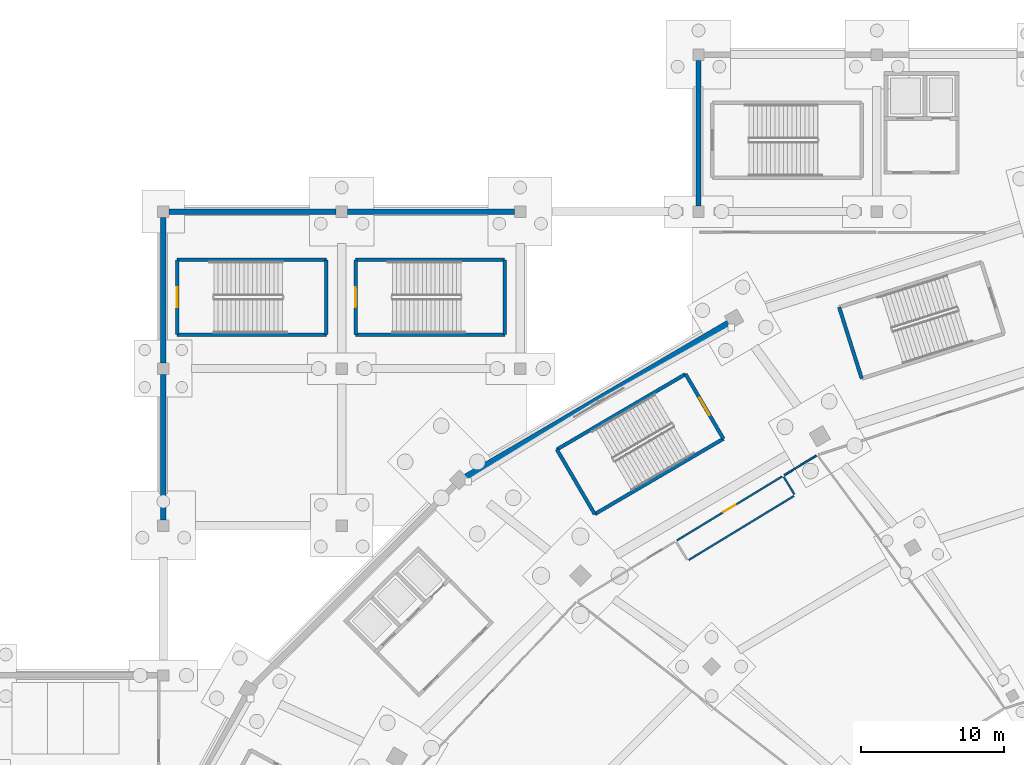
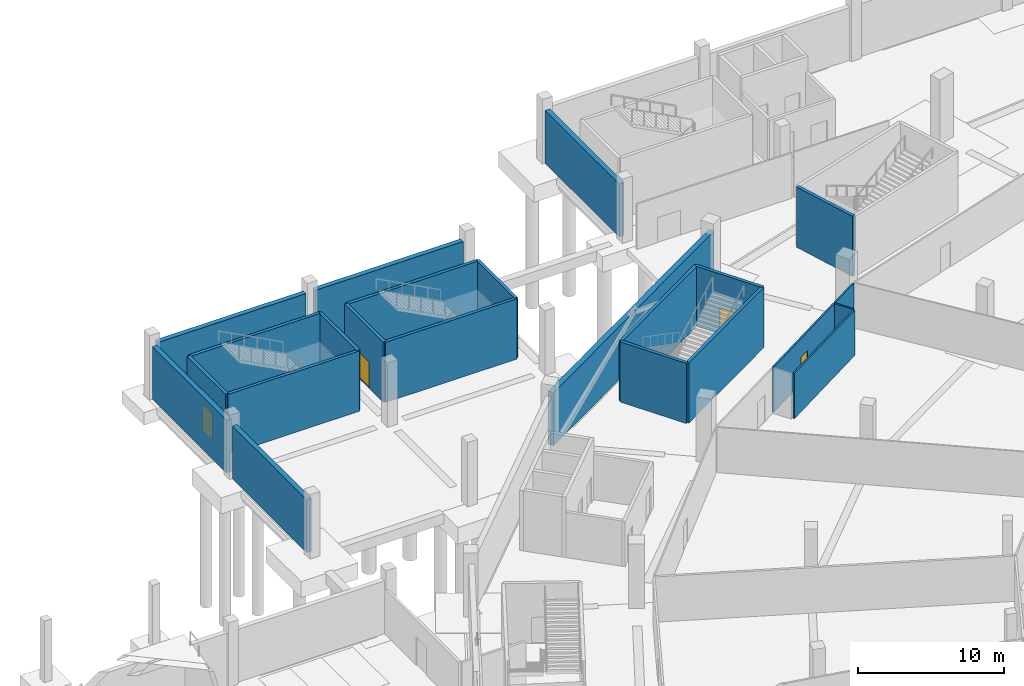
# One storey, part 45 of 74: 23 walls, 4 doors, 4 openings.
"""IFC4 building model written with IfcOpenShell, lengths in metres."""

from ifc_helpers import new_model, si_unit, direction, frame, frame_2d, origin, place, context, subcontext, project, spatial, rectangle, extrude, material, layer, layer_set, type_object, element, fill, save


model = new_model("IFC4")

# Units and contexts
model_context = context("Model", 3, precision=1e-05, world=origin(), true_north=direction((0.0, 1.0)))
body_context = subcontext(model_context, "Body", "Model", "MODEL_VIEW")
ifc_project = project(units=[si_unit("LENGTHUNIT", "METRE"), si_unit("AREAUNIT", "SQUARE_METRE"), si_unit("VOLUMEUNIT", "CUBIC_METRE"), si_unit("PLANEANGLEUNIT", "RADIAN"), si_unit("MASSUNIT", "GRAM", prefix="KILO")], contexts=[model_context])

# Site, building, storey
site_placement = place(None, origin())
site = spatial("IfcSite", under=ifc_project, at=site_placement, CompositionType="ELEMENT")
building_placement = place(site_placement, origin())
building = spatial("IfcBuilding", under=site, at=building_placement, Name="Zlatoyarsky Gate Stadium", CompositionType="ELEMENT")
storey_placement = place(building_placement, frame((0.0, 0.0, -5.39990234375)))
storey = spatial("IfcBuildingStorey", under=building, at=storey_placement, Name="B1", CompositionType="ELEMENT", Elevation=-5.39990234375)

# Walls
ifc_material_1 = material(Name="Concrete C35/45", Category="concrete")
ifc_layer_1 = layer(ifc_material_1, 0.419921875)
ifc_layer_set_1 = layer_set([ifc_layer_1], Name="Concrete C35/45")
wall_type_1 = type_object("IfcWallType", Name="CONCRETE BASEMENT RETAINING WALL 420", PredefinedType="SOLIDWALL", material=ifc_layer_set_1)
wall_1_placement = place(storey_placement, frame((64.52490234375, 141.444580078125, 0.0), z_axis=(0.0, 0.0, 1.0), x_axis=(-0.862881315776, -0.505406603523, 0.0)))
element("IfcWall", 1, at=wall_1_placement, inside=storey, type_object=wall_type_1, Name="B1 perimeter retaining wall sector 08", PredefinedType="SOLIDWALL", context=body_context, shape_type="SweptSolid", body=[
    extrude(rectangle(XDim=22.3095703125, YDim=0.419921875, at=frame_2d((11.15478515625, 0.0))), origin(), (0.0, 0.0, 1.0), 4.449951171875),
])
ifc_layer_2 = layer(ifc_material_1, 0.3798828125)
ifc_layer_set_2 = layer_set([ifc_layer_2], Name="Concrete C35/45")
wall_type_2 = type_object("IfcWallType", Name="CONCRETE RAMP RETAINING WALL 380", PredefinedType="SOLIDWALL", material=ifc_layer_set_2)
wall_2_placement = place(storey_placement, frame((62.0, 149.39697265625, 0.0), z_axis=(0.0, 0.0, 1.0), x_axis=(0.0, 1.0, 0.0)))
element("IfcWall", 2, at=wall_2_placement, inside=storey, type_object=wall_type_2, Name="V2_NORTH B1 W exterior wall", PredefinedType="SOLIDWALL", context=body_context, shape_type="SweptSolid", body=[
    extrude(rectangle(XDim=10.2060546875, YDim=0.3798828125, at=frame_2d((5.10302734375, 0.0))), origin(), (0.0, 0.0, 1.0), 4.429931640625),
])
for number, where, z_axis, x_axis, name in (
    (3, (24.89697265625, 149.0, 0.0), (0.0, 0.0, 1.0), (1.0, 0.0, 0.0), "V6_NW B1 N exterior wall"),
    (4, (37.39697265625, 149.0, 0.0), (0.0, 0.0, 1.0), (1.0, 0.0, 0.0), "V6_NW B1 N exterior wall"),
):
    element("IfcWall", number, at=place(storey_placement, frame(where, z_axis=z_axis, x_axis=x_axis)), inside=storey, type_object=wall_type_2, Name=name, PredefinedType="SOLIDWALL", context=body_context, shape_type="SweptSolid", body=[
        extrude(rectangle(XDim=11.7060546875, YDim=0.3798828125, at=frame_2d((5.85302734375, 0.0))), origin(), (0.0, 0.0, 1.0), 4.429931640625),
    ])
for number, where, z_axis, x_axis, name in (
    (5, (24.5, 127.39697265625, 0.0), (0.0, 0.0, 1.0), (0.0, 1.0, 0.0), "V6_NW B1 W exterior wall"),
    (6, (24.5, 138.39697265625, 0.0), (0.0, 0.0, 1.0), (0.0, 1.0, 0.0), "V6_NW B1 W exterior wall"),
):
    element("IfcWall", number, at=place(storey_placement, frame(where, z_axis=z_axis, x_axis=x_axis)), inside=storey, type_object=wall_type_2, Name=name, PredefinedType="SOLIDWALL", context=body_context, shape_type="SweptSolid", body=[
        extrude(rectangle(XDim=10.2060546875, YDim=0.3798828125, at=frame_2d((5.10302734375, 0.0))), origin(), (0.0, 0.0, 1.0), 4.429931640625),
    ])

# Wall, opening, door
ifc_material_2 = material(Name="Concrete C40/50", Category="concrete")
ifc_layer_3 = layer(ifc_material_2, 0.25)
ifc_layer_set_3 = layer_set([ifc_layer_3], Name="Concrete C40/50")
wall_type_3 = type_object("IfcWallType", Name="CONCRETE STAIR CORE SHEAR WALL 250", PredefinedType="SHEAR", material=ifc_layer_set_3)
wall_3_placement = place(storey_placement, frame((63.74658203125, 133.083984375, 0.0), z_axis=(0.0, 0.0, 1.0), x_axis=(-0.505460490551, 0.862849750821, 0.0)))
wall_3 = element("IfcWall", 7, at=wall_3_placement, inside=storey, type_object=wall_type_3, Name="ST-05 B1 stair core entrance shear wall", PredefinedType="SHEAR", context=body_context, shape_type="SweptSolid", body=[
    extrude(rectangle(XDim=5.249755859375, YDim=0.25, at=frame_2d((2.625, 0.0))), origin(), (0.0, 0.0, 1.0), 5.0498046875),
])
opening_1_placement = place(wall_3_placement, frame((1.925048828125, 0.0, 0.0)))
opening_1 = element("IfcOpeningElement", 8, at=opening_1_placement, cuts=wall_3, Name="Opening SD-ST-05-B1", PredefinedType="OPENING", context=body_context, shape_type="SweptSolid", body=[
    extrude(rectangle(XDim=1.39990234375, YDim=2.199951171875, at=frame_2d((0.699951171875, 1.10009765625))), frame((0.0, 0.135009765625, 0.0), z_axis=(0.0, -1.0, 0.0), x_axis=(1.0, 0.0, 0.0)), (0.0, 0.0, 1.0), 0.27001953125),
])
ifc_material_3 = material(Name="Powder-coated steel fire door", Category="steel")
door_type_1 = type_object("IfcDoorType", Name="STAIR CORE FIRE EXIT DOOR 1400X2200", OperationType="NOTDEFINED", PredefinedType="DOOR", material=ifc_material_3)
door_1_placement = place(opening_1_placement, frame((1.39990234375, 0.0, 0.0), z_axis=(0.0, 0.0, 1.0), x_axis=(-1.0, 0.0, 0.0)))
door_1 = element("IfcDoor", 9, at=door_1_placement, inside=storey, type_object=door_type_1, Name="ST-05 B1 stair fire door", OperationType="SINGLE_SWING_LEFT", OverallHeight=2.199951171875, OverallWidth=1.39990234375, PredefinedType="DOOR", context=body_context, shape_type="SweptSolid", body=[
    extrude(rectangle(XDim=1.39990234375, YDim=2.199951171875, at=frame_2d((0.699951171875, 1.10009765625))), frame((0.0, 0.02490234375, 0.0), z_axis=(0.0, -1.0, 0.0), x_axis=(1.0, 0.0, 0.0)), (0.0, 0.0, 1.0), 0.050048828125),
])
fill(opening_1, door_1)

# Walls
wall_4_placement = place(storey_placement, frame((61.093017578125, 137.61376953125, 0.0), z_axis=(0.0, 0.0, 1.0), x_axis=(-0.862854686184, -0.505452065513, 0.0)))
element("IfcWall", 10, at=wall_4_placement, inside=storey, type_object=wall_type_3, Name="ST-05 B1 stair core left shear wall", PredefinedType="SHEAR", context=body_context, shape_type="SweptSolid", body=[
    extrude(rectangle(XDim=10.449951171875, YDim=0.25, at=frame_2d((5.22509765625, 0.0))), origin(), (0.0, 0.0, 1.0), 5.0498046875),
])
wall_5_placement = place(storey_placement, frame((52.076171875, 132.331787109375, 0.0), z_axis=(0.0, 0.0, 1.0), x_axis=(0.505474830399, -0.862841350327, 0.0)))
element("IfcWall", 11, at=wall_5_placement, inside=storey, type_object=wall_type_3, Name="ST-05 B1 stair core far shear wall", PredefinedType="SHEAR", context=body_context, shape_type="SweptSolid", body=[
    extrude(rectangle(XDim=5.250244140625, YDim=0.25, at=frame_2d((2.625, 0.0))), origin(), (0.0, 0.0, 1.0), 5.0498046875),
])
wall_6_placement = place(storey_placement, frame((54.72998046875, 127.8017578125, 0.0), z_axis=(0.0, 0.0, 1.0), x_axis=(0.862838527648, 0.505479648657, 0.0)))
element("IfcWall", 12, at=wall_6_placement, inside=storey, type_object=wall_type_3, Name="ST-05 B1 stair core right shear wall", PredefinedType="SHEAR", context=body_context, shape_type="SweptSolid", body=[
    extrude(rectangle(XDim=10.449951171875, YDim=0.25, at=frame_2d((5.22509765625, 0.0))), origin(), (0.0, 0.0, 1.0), 5.0498046875),
])
wall_7_placement = place(storey_placement, frame((71.853759765625, 142.306884765625, 0.0), z_axis=(0.0, 0.0, 1.0), x_axis=(0.30152749866, -0.953457480726, 0.0)))
element("IfcWall", 13, at=wall_7_placement, inside=storey, type_object=wall_type_3, Name="ST-14 B1 stair core far shear wall", PredefinedType="SHEAR", context=body_context, shape_type="SweptSolid", body=[
    extrude(rectangle(XDim=5.25, YDim=0.25, at=frame_2d((2.625, 0.0))), origin(), (0.0, 0.0, 1.0), 5.0498046875),
])

# Wall, opening, door
wall_8_placement = place(storey_placement, frame((25.47509765625, 145.625, 0.0), z_axis=(0.0, 0.0, 1.0), x_axis=(0.0, -1.0, 0.0)))
wall_8 = element("IfcWall", 14, at=wall_8_placement, inside=storey, type_object=wall_type_3, Name="ST-25 B1 stair core entrance shear wall", PredefinedType="SHEAR", context=body_context, shape_type="SweptSolid", body=[
    extrude(rectangle(XDim=5.25, YDim=0.25, at=frame_2d((2.625, 0.0))), origin(), (0.0, 0.0, 1.0), 5.0498046875),
])
opening_2_placement = place(wall_8_placement, frame((1.925048828125, 0.0, 0.0)))
opening_2 = element("IfcOpeningElement", 15, at=opening_2_placement, cuts=wall_8, Name="Opening SD-ST-25-B1", PredefinedType="OPENING", context=body_context, shape_type="SweptSolid", body=[
    extrude(rectangle(XDim=1.39990234375, YDim=2.199951171875, at=frame_2d((0.699951171875, 1.10009765625))), frame((0.0, 0.135009765625, 0.0), z_axis=(0.0, -1.0, 0.0), x_axis=(1.0, 0.0, 0.0)), (0.0, 0.0, 1.0), 0.27001953125),
])
door_2_placement = place(opening_2_placement, frame((1.39990234375, 0.0, 0.0), z_axis=(0.0, 0.0, 1.0), x_axis=(-1.0, 0.0, 0.0)))
door_2 = element("IfcDoor", 16, at=door_2_placement, inside=storey, type_object=door_type_1, Name="ST-25 B1 stair fire door", OperationType="SINGLE_SWING_LEFT", OverallHeight=2.199951171875, OverallWidth=1.39990234375, PredefinedType="DOOR", context=body_context, shape_type="SweptSolid", body=[
    extrude(rectangle(XDim=1.39990234375, YDim=2.199951171875, at=frame_2d((0.699951171875, 1.10009765625))), frame((0.0, 0.02490234375, 0.0), z_axis=(0.0, -1.0, 0.0), x_axis=(1.0, 0.0, 0.0)), (0.0, 0.0, 1.0), 0.050048828125),
])
fill(opening_2, door_2)

# Walls
wall_9_placement = place(storey_placement, frame((25.47509765625, 140.375, 0.0), z_axis=(0.0, 0.0, 1.0), x_axis=(1.0, 0.0, 0.0)))
element("IfcWall", 17, at=wall_9_placement, inside=storey, type_object=wall_type_3, Name="ST-25 B1 stair core left shear wall", PredefinedType="SHEAR", context=body_context, shape_type="SweptSolid", body=[
    extrude(rectangle(XDim=10.449951171875, YDim=0.25, at=frame_2d((5.22509765625, 0.0))), origin(), (0.0, 0.0, 1.0), 5.0498046875),
])
wall_10_placement = place(storey_placement, frame((35.925048828125, 140.375, 0.0), z_axis=(0.0, 0.0, 1.0), x_axis=(0.0, 1.0, 0.0)))
element("IfcWall", 18, at=wall_10_placement, inside=storey, type_object=wall_type_3, Name="ST-25 B1 stair core far shear wall", PredefinedType="SHEAR", context=body_context, shape_type="SweptSolid", body=[
    extrude(rectangle(XDim=5.25, YDim=0.25, at=frame_2d((2.625, 0.0))), origin(), (0.0, 0.0, 1.0), 5.0498046875),
])
wall_11_placement = place(storey_placement, frame((35.925048828125, 145.625, 0.0), z_axis=(0.0, 0.0, 1.0), x_axis=(-1.0, 0.0, 0.0)))
element("IfcWall", 19, at=wall_11_placement, inside=storey, type_object=wall_type_3, Name="ST-25 B1 stair core right shear wall", PredefinedType="SHEAR", context=body_context, shape_type="SweptSolid", body=[
    extrude(rectangle(XDim=10.449951171875, YDim=0.25, at=frame_2d((5.22509765625, 0.0))), origin(), (0.0, 0.0, 1.0), 5.0498046875),
])

# Wall, opening, door
wall_12_placement = place(storey_placement, frame((37.97509765625, 145.625, 0.0), z_axis=(0.0, 0.0, 1.0), x_axis=(0.0, -1.0, 0.0)))
wall_12 = element("IfcWall", 20, at=wall_12_placement, inside=storey, type_object=wall_type_3, Name="ST-26 B1 stair core entrance shear wall", PredefinedType="SHEAR", context=body_context, shape_type="SweptSolid", body=[
    extrude(rectangle(XDim=5.25, YDim=0.25, at=frame_2d((2.625, 0.0))), origin(), (0.0, 0.0, 1.0), 5.0498046875),
])
opening_3_placement = place(wall_12_placement, frame((1.925048828125, 0.0, 0.0)))
opening_3 = element("IfcOpeningElement", 21, at=opening_3_placement, cuts=wall_12, Name="Opening SD-ST-26-B1", PredefinedType="OPENING", context=body_context, shape_type="SweptSolid", body=[
    extrude(rectangle(XDim=1.39990234375, YDim=2.199951171875, at=frame_2d((0.699951171875, 1.10009765625))), frame((0.0, 0.135009765625, 0.0), z_axis=(0.0, -1.0, 0.0), x_axis=(1.0, 0.0, 0.0)), (0.0, 0.0, 1.0), 0.27001953125),
])
door_3_placement = place(opening_3_placement, frame((1.39990234375, 0.0, 0.0), z_axis=(0.0, 0.0, 1.0), x_axis=(-1.0, 0.0, 0.0)))
door_3 = element("IfcDoor", 22, at=door_3_placement, inside=storey, type_object=door_type_1, Name="ST-26 B1 stair fire door", OperationType="SINGLE_SWING_RIGHT", OverallHeight=2.199951171875, OverallWidth=1.39990234375, PredefinedType="DOOR", context=body_context, shape_type="SweptSolid", body=[
    extrude(rectangle(XDim=1.39990234375, YDim=2.199951171875, at=frame_2d((0.699951171875, 1.10009765625))), frame((0.0, 0.02490234375, 0.0), z_axis=(0.0, -1.0, 0.0), x_axis=(1.0, 0.0, 0.0)), (0.0, 0.0, 1.0), 0.050048828125),
])
fill(opening_3, door_3)

# Walls
wall_13_placement = place(storey_placement, frame((37.97509765625, 140.375, 0.0), z_axis=(0.0, 0.0, 1.0), x_axis=(1.0, 0.0, 0.0)))
element("IfcWall", 23, at=wall_13_placement, inside=storey, type_object=wall_type_3, Name="ST-26 B1 stair core left shear wall", PredefinedType="SHEAR", context=body_context, shape_type="SweptSolid", body=[
    extrude(rectangle(XDim=10.449951171875, YDim=0.25, at=frame_2d((5.22509765625, 0.0))), origin(), (0.0, 0.0, 1.0), 5.0498046875),
])
wall_14_placement = place(storey_placement, frame((48.425048828125, 140.375, 0.0), z_axis=(0.0, 0.0, 1.0), x_axis=(0.0, 1.0, 0.0)))
element("IfcWall", 24, at=wall_14_placement, inside=storey, type_object=wall_type_3, Name="ST-26 B1 stair core far shear wall", PredefinedType="SHEAR", context=body_context, shape_type="SweptSolid", body=[
    extrude(rectangle(XDim=5.25, YDim=0.25, at=frame_2d((2.625, 0.0))), origin(), (0.0, 0.0, 1.0), 5.0498046875),
])
wall_15_placement = place(storey_placement, frame((48.425048828125, 145.625, 0.0), z_axis=(0.0, 0.0, 1.0), x_axis=(-1.0, 0.0, 0.0)))
element("IfcWall", 25, at=wall_15_placement, inside=storey, type_object=wall_type_3, Name="ST-26 B1 stair core right shear wall", PredefinedType="SHEAR", context=body_context, shape_type="SweptSolid", body=[
    extrude(rectangle(XDim=10.449951171875, YDim=0.25, at=frame_2d((5.22509765625, 0.0))), origin(), (0.0, 0.0, 1.0), 5.0498046875),
])
ifc_material_4 = material(Name="Metal-stud gypsum partition", Category="gypsum")
ifc_layer_4 = layer(ifc_material_4, 0.1201171875)
ifc_layer_set_4 = layer_set([ifc_layer_4], Name="Metal-stud gypsum partition")
wall_type_4 = type_object("IfcWallType", Name="OFFICE AND PRESS PARTITION 120", PredefinedType="PARTITIONING", material=ifc_layer_set_4)
wall_16_placement = place(storey_placement, frame((70.24951171875, 131.897705078125, 0.0), z_axis=(0.0, 0.0, 1.0), x_axis=(-0.854381340331, -0.519646538806, 0.0)))
element("IfcWall", 26, at=wall_16_placement, inside=storey, type_object=wall_type_4, Name="B1 interior partition PRT-B1-WCL-08", PredefinedType="PARTITIONING", context=body_context, shape_type="SweptSolid", body=[
    extrude(rectangle(XDim=2.630126953125, YDim=0.1201171875, at=frame_2d((1.31494140625, 0.0))), origin(), (0.0, 0.0, 1.0), 3.7998046875),
])

# Wall, opening, door
ifc_material_5 = material(Name="Moisture-resistant tile-backed partition", Category="gypsum")
ifc_layer_5 = layer(ifc_material_5, 0.1298828125)
ifc_layer_set_5 = layer_set([ifc_layer_5], Name="Moisture-resistant tile-backed partition")
wall_type_5 = type_object("IfcWallType", Name="SANITARY WET ROOM PARTITION 130", PredefinedType="PARTITIONING", material=ifc_layer_set_5)
wall_17_placement = place(storey_placement, frame((67.857421875, 130.4423828125, 0.0), z_axis=(0.0, 0.0, 1.0), x_axis=(-0.854356939767, -0.519686655083, 0.0)))
wall_17 = element("IfcWall", 27, at=wall_17_placement, inside=storey, type_object=wall_type_5, Name="B1 interior partition PRT-B1-WC08-F", PredefinedType="PARTITIONING", context=body_context, shape_type="SweptSolid", body=[
    extrude(rectangle(XDim=8.6298828125, YDim=0.1298828125, at=frame_2d((4.31494140625, 0.0))), origin(), (0.0, 0.0, 1.0), 3.7998046875),
])
opening_4_placement = place(wall_17_placement, frame((3.8349609375, 0.0, 0.0)))
opening_4 = element("IfcOpeningElement", 28, at=opening_4_placement, cuts=wall_17, Name="Opening D-B1-031", PredefinedType="OPENING", context=body_context, shape_type="SweptSolid", body=[
    extrude(rectangle(XDim=0.9599609375, YDim=2.239990234375, at=frame_2d((0.47998046875, 1.1201171875))), frame((0.0, 0.074951171875, 0.0), z_axis=(0.0, -1.0, 0.0), x_axis=(1.0, 0.0, 0.0)), (0.0, 0.0, 1.0), 0.14990234375),
])
ifc_material_6 = material(Name="Solid-core oak veneer acoustic door", Category="wood")
door_type_2 = type_object("IfcDoorType", Name="ACOUSTIC INTERIOR DOOR 960X2240", OperationType="NOTDEFINED", PredefinedType="DOOR", material=ifc_material_6)
door_4_placement = place(opening_4_placement, origin())
door_4 = element("IfcDoor", 29, at=door_4_placement, inside=storey, type_object=door_type_2, Name="B1 room door D-B1-031", OperationType="SINGLE_SWING_RIGHT", OverallHeight=2.239990234375, OverallWidth=0.9599609375, PredefinedType="DOOR", context=body_context, shape_type="SweptSolid", body=[
    extrude(rectangle(XDim=0.9599609375, YDim=2.239990234375, at=frame_2d((0.47998046875, 1.1201171875))), frame((0.0, 0.02490234375, 0.0), z_axis=(0.0, -1.0, 0.0), x_axis=(1.0, 0.0, 0.0)), (0.0, 0.0, 1.0), 0.050048828125),
])
fill(opening_4, door_4)

# Walls
wall_18_placement = place(storey_placement, frame((68.68896484375, 129.07568359375, 0.0), z_axis=(0.0, 0.0, 1.0), x_axis=(-0.854344379017, -0.519707304203, 0.0)))
element("IfcWall", 30, at=wall_18_placement, inside=storey, type_object=wall_type_5, Name="B1 interior partition PRT-B1-WC08-B", PredefinedType="PARTITIONING", context=body_context, shape_type="SweptSolid", body=[
    extrude(rectangle(XDim=8.630126953125, YDim=0.1298828125, at=frame_2d((4.31494140625, 0.0))), origin(), (0.0, 0.0, 1.0), 3.7998046875),
])
wall_19_placement = place(storey_placement, frame((67.97412109375, 130.4140625, 0.0), z_axis=(0.0, 0.0, 1.0), x_axis=(0.519708608153, -0.854343585808, 0.0)))
element("IfcWall", 31, at=wall_19_placement, inside=storey, type_object=wall_type_5, Name="B1 interior partition PRT-B1-WC08-L", PredefinedType="PARTITIONING", context=body_context, shape_type="SweptSolid", body=[
    extrude(rectangle(XDim=1.429931640625, YDim=0.1298828125, at=frame_2d((0.71484375, 0.0))), origin(), (0.0, 0.0, 1.0), 3.7998046875),
])

save(model, "model.ifc")
